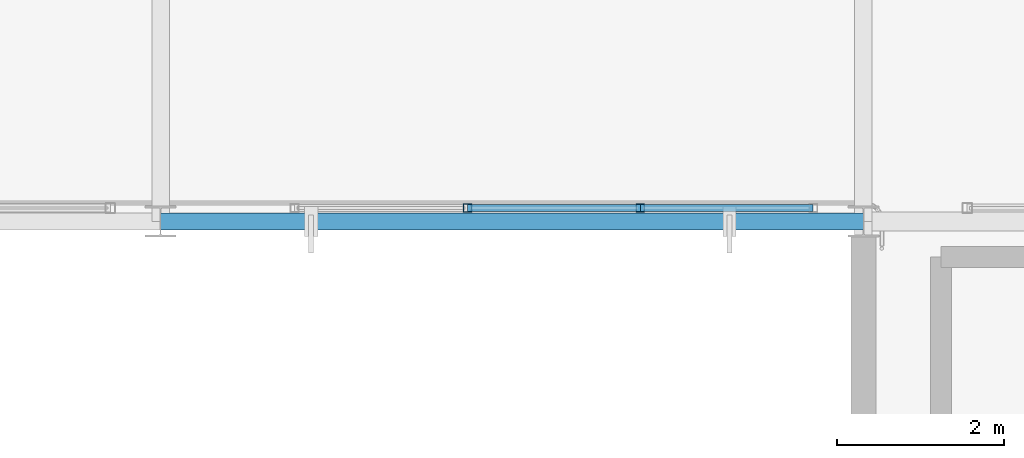
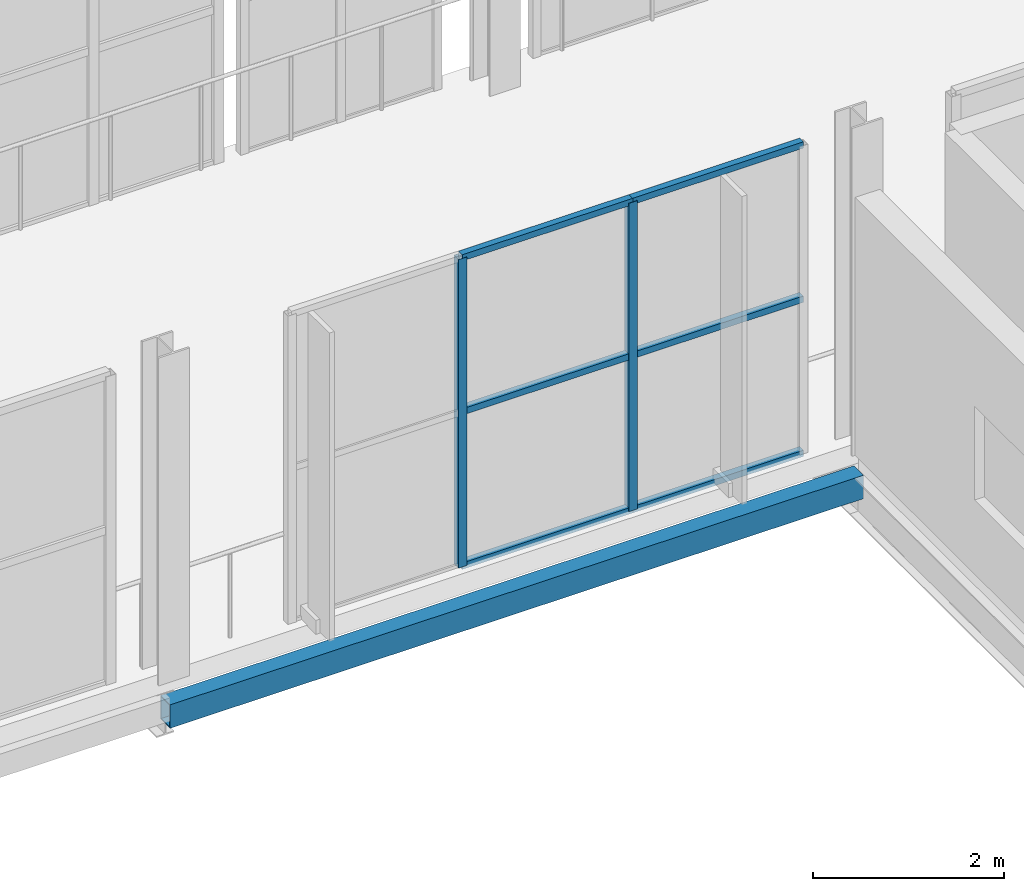
# One storey, part 18 of 217: 8 members, 1 beam, 1 element without a shape of its own.
"""IFC4 building model written with IfcOpenShell, lengths in metres."""

from ifc_helpers import new_model, si_unit, direction, frame, origin, origin_2d, place, context, subcontext, project, spatial, hollow_rectangle, extrude, material, material_profile, profile_set, type_object, element, aggregate, save


model = new_model("IFC4")

# Units and contexts
model_context = context("Model", 3, precision=1e-05, world=origin(), true_north=direction((0.0, 1.0)))
body_context = subcontext(model_context, "Body", "Model", "MODEL_VIEW")
ifc_project = project(units=[si_unit("LENGTHUNIT", "METRE"), si_unit("AREAUNIT", "SQUARE_METRE"), si_unit("VOLUMEUNIT", "CUBIC_METRE"), si_unit("PLANEANGLEUNIT", "RADIAN"), si_unit("MASSUNIT", "GRAM", prefix="KILO")], contexts=[model_context])

# Site, building, storey
site_placement = place(None, origin())
site = spatial("IfcSite", under=ifc_project, at=site_placement, CompositionType="ELEMENT")
building_placement = place(site_placement, origin())
building = spatial("IfcBuilding", under=site, at=building_placement, Name="Zuvorla Pavilion Media Centre", CompositionType="ELEMENT")
storey_placement = place(building_placement, frame((0.0, 0.0, 9.60009765625)))
storey = spatial("IfcBuildingStorey", under=building, at=storey_placement, Name="L02", CompositionType="ELEMENT", Elevation=9.60009765625)

# Beam
ifc_material_1 = material(Name="Steel S355", Category="steel")
ifc_material_profile_1 = material_profile(ifc_material_1, hollow_rectangle(XDim=0.199951171875, YDim=0.300048828125, WallThickness=0.012451171875, at=origin_2d()), Name="RHS 300x200x12.5")
ifc_profile_set_1 = profile_set([ifc_material_profile_1], Name="Steel S355")
beam_type = type_object("IfcBeamType", Name="BM-SP-RHS300", PredefinedType="SPANDREL", material=ifc_profile_set_1)
beam_placement = place(storey_placement, frame((33.199951171875, 44.0, -0.508056640625), z_axis=(1.0, 0.0, 0.0), x_axis=(0.0, 1.0, 0.0)))
element("IfcBeam", 1, at=beam_placement, inside=storey, type_object=beam_type, Name="L02 spandrel SP01 820", PredefinedType="SPANDREL", context=body_context, shape_type="SweptSolid", body=[
    extrude(hollow_rectangle(XDim=0.199951171875, YDim=0.300048828125, WallThickness=0.012451171875, at=origin_2d()), origin(), (0.0, 0.0, 1.0), 8.400146484375),
])

# Curtain wall, members
ifc_material_2 = material(Name="Unitised anodised aluminium and solar glass curtain wall", Category="aluminium")
curtain_wall_type = type_object("IfcCurtainWallType", Name="CW-SYS-20", PredefinedType="USERDEFINED", material=ifc_material_2)
curtain_wall_placement = place(storey_placement, origin())
curtain_wall = element("IfcCurtainWall", 2, at=curtain_wall_placement, inside=storey, type_object=curtain_wall_type, Name="L02 curtain wall CW20 39", ObjectType="CURTAIN WALL", PredefinedType="USERDEFINED")
ifc_material_3 = material(Name="Anodised aluminium 6063-T6", Category="aluminium")
ifc_material_profile_2 = material_profile(ifc_material_3, hollow_rectangle(XDim=0.10009765625, YDim=0.10009765625, WallThickness=0.00439453125, at=origin_2d()), Name="ALU MULL 100x100")
ifc_profile_set_2 = profile_set([ifc_material_profile_2], Name="Anodised aluminium 6063-T6")
member_type_1 = type_object("IfcMemberType", Name="CW-MULL-100", PredefinedType="MULLION", material=ifc_profile_set_2)
member_1_placement = place(storey_placement, frame((36.86669921875, 44.159912109375, 0.0), z_axis=(0.0, 0.0, 1.0), x_axis=(1.0, 0.0, 0.0)))
member_1 = element("IfcMember", 3, at=member_1_placement, type_object=member_type_1, Name="CW20 mullion 2", PredefinedType="MULLION", context=body_context, shape_type="SweptSolid", body=[
    extrude(hollow_rectangle(XDim=0.10009765625, YDim=0.10009765625, WallThickness=0.00439453125, at=origin_2d()), origin(), (0.0, 0.0, 1.0), 3.949951171875),
])
member_2_placement = place(storey_placement, frame((38.93310546875, 44.159912109375, 0.0), z_axis=(0.0, 0.0, 1.0), x_axis=(1.0, 0.0, 0.0)))
member_2 = element("IfcMember", 4, at=member_2_placement, type_object=member_type_1, Name="CW20 mullion 3", PredefinedType="MULLION", context=body_context, shape_type="SweptSolid", body=[
    extrude(hollow_rectangle(XDim=0.10009765625, YDim=0.10009765625, WallThickness=0.00439453125, at=origin_2d()), origin(), (0.0, 0.0, 1.0), 3.949951171875),
])
ifc_material_profile_3 = material_profile(ifc_material_3, hollow_rectangle(XDim=0.080078125, YDim=0.080078125, WallThickness=0.00390625, at=origin_2d()), Name="ALU TRAN 80x80")
ifc_profile_set_3 = profile_set([ifc_material_profile_3], Name="Anodised aluminium 6063-T6")
member_type_2 = type_object("IfcMemberType", Name="CW-TRAN-80", PredefinedType="USERDEFINED", material=ifc_profile_set_3)
member_3_placement = place(storey_placement, frame((36.86669921875, 44.159912109375, 0.0), z_axis=(1.0, 0.0, 0.0), x_axis=(0.0, 1.0, 0.0)))
member_3 = element("IfcMember", 5, at=member_3_placement, type_object=member_type_2, Name="CW20 transom 2.1", ObjectType="TRANSOM", PredefinedType="USERDEFINED", context=body_context, shape_type="SweptSolid", body=[
    extrude(hollow_rectangle(XDim=0.080078125, YDim=0.080078125, WallThickness=0.00390625, at=origin_2d()), origin(), (0.0, 0.0, 1.0), 2.06640625),
])
member_4_placement = place(storey_placement, frame((36.86669921875, 44.159912109375, 1.974853515625), z_axis=(1.0, 0.0, 0.0), x_axis=(0.0, 1.0, 0.0)))
member_4 = element("IfcMember", 6, at=member_4_placement, type_object=member_type_2, Name="CW20 transom 2.2", ObjectType="TRANSOM", PredefinedType="USERDEFINED", context=body_context, shape_type="SweptSolid", body=[
    extrude(hollow_rectangle(XDim=0.080078125, YDim=0.080078125, WallThickness=0.00390625, at=origin_2d()), origin(), (0.0, 0.0, 1.0), 2.06640625),
])
member_5_placement = place(storey_placement, frame((36.86669921875, 44.159912109375, 3.949951171875), z_axis=(1.0, 0.0, 0.0), x_axis=(0.0, 1.0, 0.0)))
member_5 = element("IfcMember", 7, at=member_5_placement, type_object=member_type_2, Name="CW20 transom 2.3", ObjectType="TRANSOM", PredefinedType="USERDEFINED", context=body_context, shape_type="SweptSolid", body=[
    extrude(hollow_rectangle(XDim=0.080078125, YDim=0.080078125, WallThickness=0.00390625, at=origin_2d()), origin(), (0.0, 0.0, 1.0), 2.06640625),
])
member_6_placement = place(storey_placement, frame((38.93310546875, 44.159912109375, 0.0), z_axis=(1.0, 0.0, 0.0), x_axis=(0.0, 1.0, 0.0)))
member_6 = element("IfcMember", 8, at=member_6_placement, type_object=member_type_2, Name="CW20 transom 3.1", ObjectType="TRANSOM", PredefinedType="USERDEFINED", context=body_context, shape_type="SweptSolid", body=[
    extrude(hollow_rectangle(XDim=0.080078125, YDim=0.080078125, WallThickness=0.00390625, at=origin_2d()), origin(), (0.0, 0.0, 1.0), 2.066650390625),
])
member_7_placement = place(storey_placement, frame((38.93310546875, 44.159912109375, 1.974853515625), z_axis=(1.0, 0.0, 0.0), x_axis=(0.0, 1.0, 0.0)))
member_7 = element("IfcMember", 9, at=member_7_placement, type_object=member_type_2, Name="CW20 transom 3.2", ObjectType="TRANSOM", PredefinedType="USERDEFINED", context=body_context, shape_type="SweptSolid", body=[
    extrude(hollow_rectangle(XDim=0.080078125, YDim=0.080078125, WallThickness=0.00390625, at=origin_2d()), origin(), (0.0, 0.0, 1.0), 2.066650390625),
])
member_8_placement = place(storey_placement, frame((38.93310546875, 44.159912109375, 3.949951171875), z_axis=(1.0, 0.0, 0.0), x_axis=(0.0, 1.0, 0.0)))
member_8 = element("IfcMember", 10, at=member_8_placement, type_object=member_type_2, Name="CW20 transom 3.3", ObjectType="TRANSOM", PredefinedType="USERDEFINED", context=body_context, shape_type="SweptSolid", body=[
    extrude(hollow_rectangle(XDim=0.080078125, YDim=0.080078125, WallThickness=0.00390625, at=origin_2d()), origin(), (0.0, 0.0, 1.0), 2.066650390625),
])
aggregate(curtain_wall, [member_1, member_2, member_3, member_4, member_5, member_6, member_7, member_8])

save(model, "model.ifc")
